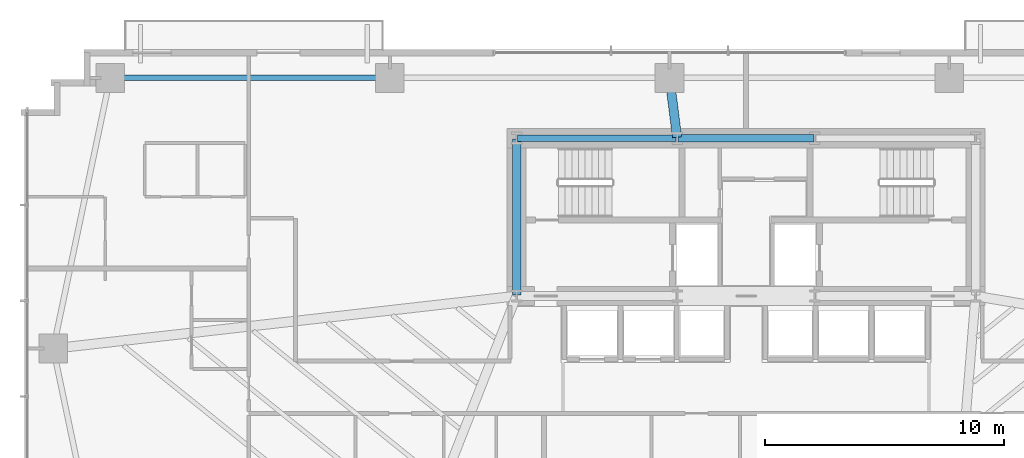
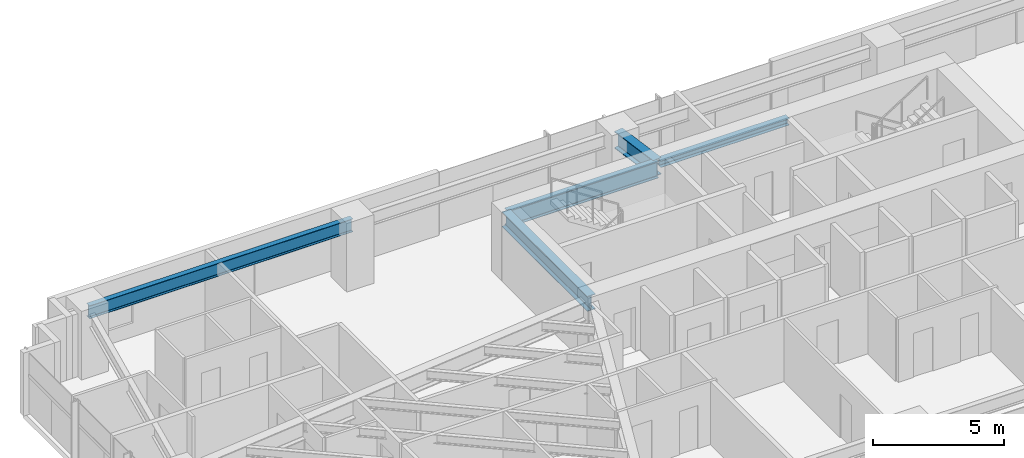
# One storey, part 9 of 25: 5 beams.
"""IFC4 building model written with IfcOpenShell, lengths in metres."""

from ifc_helpers import new_model, si_unit, direction, frame, origin, origin_2d, place, context, subcontext, project, spatial, i_section, extrude, source, transform, mapped, material, material_profile, profile_set, type_object, type_shapes, element, save


model = new_model("IFC4")

# Units and contexts
model_context = context("Model", 3, precision=1e-05, world=origin(), true_north=direction((0.0, 1.0)))
body_context = subcontext(model_context, "Body", "Model", "MODEL_VIEW")
ifc_project = project(units=[si_unit("LENGTHUNIT", "METRE"), si_unit("AREAUNIT", "SQUARE_METRE"), si_unit("VOLUMEUNIT", "CUBIC_METRE"), si_unit("PLANEANGLEUNIT", "RADIAN"), si_unit("MASSUNIT", "GRAM", prefix="KILO")], contexts=[model_context])

# Site, building, storey
site_placement = place(None, origin())
site = spatial("IfcSite", under=ifc_project, at=site_placement, CompositionType="ELEMENT")
building_placement = place(site_placement, origin())
building = spatial("IfcBuilding", under=site, at=building_placement, Name="Astriad Promenade Condominiums", CompositionType="ELEMENT")
storey_placement = place(building_placement, frame((0.0, 0.0, 61.39990234375)))
storey = spatial("IfcBuildingStorey", under=building, at=storey_placement, Name="L17", CompositionType="ELEMENT", Elevation=61.39990234375)

# Beams
ifc_material = material(Name="Steel ASTM A992 Grade 50", Category="steel")
ifc_material_profile_1 = material_profile(ifc_material, i_section(OverallWidth=0.267822265625, OverallDepth=0.76953125, WebThickness=0.015625, FlangeThickness=0.025390625, FilletRadius=0.021484375, at=origin_2d()), Name="W30X132")
ifc_profile_set_1 = profile_set([ifc_material_profile_1], Name="Steel ASTM A992 Grade 50")
beam_type_1 = type_object("IfcBeamType", Name="STEEL FLOOR GIRDER W30X132", PredefinedType="BEAM", material=ifc_profile_set_1)
shared_shape_1 = source(origin(), body_context, "Body", "SweptSolid", [
    extrude(i_section(OverallWidth=0.267822265625, OverallDepth=0.76953125, WebThickness=0.015625, FlangeThickness=0.025390625, FilletRadius=0.021484375, at=origin_2d()), origin(), (0.0, 0.0, 1.0), 6.64013671875),
])
type_shapes(beam_type_1, [shared_shape_1])
beam_1_placement = place(storey_placement, frame((26.43994140625, 24.0, 2.55517578125), z_axis=(1.0, 0.0, 0.0), x_axis=(0.0, 1.0, 0.0)))
element("IfcBeam", 1, at=beam_1_placement, inside=storey, type_object=beam_type_1, Name="Core Ring Beam CG-N1-L17", PredefinedType="BEAM", context=body_context, shape_type="MappedRepresentation", body=[
    mapped(shared_shape_1, transform((0.0, 0.0, 0.0), scale=1.0)),
])
ifc_material_profile_2 = material_profile(ifc_material, i_section(OverallWidth=0.3046875, OverallDepth=0.307861328125, WebThickness=0.010009765625, FlangeThickness=0.015380859375, FilletRadius=0.01513671875, at=origin_2d()), Name="W12X65")
ifc_profile_set_2 = profile_set([ifc_material_profile_2], Name="Steel ASTM A992 Grade 50")
beam_type_2 = type_object("IfcBeamType", Name="STEEL OPENING LINTEL W12X65", PredefinedType="LINTEL", material=ifc_profile_set_2)
shared_shape_2 = source(origin(), body_context, "Body", "SweptSolid", [
    extrude(i_section(OverallWidth=0.3046875, OverallDepth=0.307861328125, WebThickness=0.010009765625, FlangeThickness=0.015380859375, FilletRadius=0.01513671875, at=origin_2d()), origin(), (0.0, 0.0, 1.0), 5.68017578125),
])
type_shapes(beam_type_2, [shared_shape_2])
beam_2_placement = place(storey_placement, frame((33.159912109375, 24.0, 2.7861328125), z_axis=(1.0, 0.0, 0.0), x_axis=(0.0, 1.0, 0.0)))
element("IfcBeam", 2, at=beam_2_placement, inside=storey, type_object=beam_type_2, Name="Core Ring Beam CG-N2-L17", PredefinedType="LINTEL", context=body_context, shape_type="MappedRepresentation", body=[
    mapped(shared_shape_2, transform((0.0, 0.0, 0.0), scale=1.0)),
])
ifc_material_profile_3 = material_profile(ifc_material, i_section(OverallWidth=0.35791015625, OverallDepth=0.706298828125, WebThickness=0.018310546875, FlangeThickness=0.0302734375, FilletRadius=0.020263671875, at=origin_2d()), Name="W27X178")
ifc_profile_set_3 = profile_set([ifc_material_profile_3], Name="Steel ASTM A992 Grade 50")
beam_type_3 = type_object("IfcBeamType", Name="STEEL FLOOR GIRDER W27X178", PredefinedType="BEAM", material=ifc_profile_set_3)
shared_shape_3 = source(origin(), body_context, "Body", "SweptSolid", [
    extrude(i_section(OverallWidth=0.35791015625, OverallDepth=0.706298828125, WebThickness=0.018310546875, FlangeThickness=0.0302734375, FilletRadius=0.020263671875, at=origin_2d()), origin(), (0.0, 0.0, 1.0), 6.52001953125),
])
type_shapes(beam_type_3, [shared_shape_3])
beam_3_placement = place(storey_placement, frame((26.39990234375, 17.43994140625, 2.5869140625), z_axis=(0.0, 1.0, 0.0), x_axis=(-1.0, 0.0, 0.0)))
element("IfcBeam", 3, at=beam_3_placement, inside=storey, type_object=beam_type_3, Name="Core Ring Beam CG-W1-L17", PredefinedType="BEAM", context=body_context, shape_type="MappedRepresentation", body=[
    mapped(shared_shape_3, transform((0.0, 0.0, 0.0), scale=1.0)),
])
ifc_material_profile_4 = material_profile(ifc_material, i_section(OverallWidth=0.22900390625, OverallDepth=0.612060546875, WebThickness=0.011962890625, FlangeThickness=0.01953125, FilletRadius=0.017822265625, at=origin_2d()), Name="W24X84")
ifc_profile_set_4 = profile_set([ifc_material_profile_4], Name="Steel ASTM A992 Grade 50")
beam_type_4 = type_object("IfcBeamType", Name="STEEL SPANDREL BEAM W24X84", PredefinedType="SPANDREL", material=ifc_profile_set_4)
shared_shape_4 = source(origin(), body_context, "Body", "SweptSolid", [
    extrude(i_section(OverallWidth=0.22900390625, OverallDepth=0.612060546875, WebThickness=0.011962890625, FlangeThickness=0.01953125, FilletRadius=0.017822265625, at=origin_2d()), origin(), (0.0, 0.0, 1.0), 11.6201171875),
])
type_shapes(beam_type_4, [shared_shape_4])
beam_4_placement = place(storey_placement, frame((21.06005859375, 26.52001953125, 2.634033203125), z_axis=(-1.0, 0.0, 0.0), x_axis=(0.0, -1.0, 0.0)))
element("IfcBeam", 4, at=beam_4_placement, inside=storey, type_object=beam_type_4, Name="Perimeter Spandrel Beam SP-N1-L17", PredefinedType="SPANDREL", context=body_context, shape_type="MappedRepresentation", body=[
    mapped(shared_shape_4, transform((0.0, 0.0, 0.0), scale=1.0)),
])
ifc_material_profile_5 = material_profile(ifc_material, i_section(OverallWidth=0.3837890625, OverallDepth=0.785888671875, WebThickness=0.019775390625, FlangeThickness=0.033447265625, FilletRadius=0.021484375, at=origin_2d()), Name="W30X211")
ifc_profile_set_5 = profile_set([ifc_material_profile_5], Name="Steel ASTM A992 Grade 50")
beam_type_5 = type_object("IfcBeamType", Name="STEEL FLOOR GIRDER W30X211", PredefinedType="BEAM", material=ifc_profile_set_5)
shared_shape_5 = source(origin(), body_context, "Body", "SweptSolid", [
    extrude(i_section(OverallWidth=0.3837890625, OverallDepth=0.785888671875, WebThickness=0.019775390625, FlangeThickness=0.033447265625, FilletRadius=0.021484375, at=origin_2d()), origin(), (0.0, 0.0, 1.0), 2.4599609375),
])
type_shapes(beam_type_5, [shared_shape_5])
beam_5_placement = place(storey_placement, frame((32.804931640625, 26.480224609375, 2.547119140625), z_axis=(0.126037648346, -0.992025458947, 0.0), x_axis=(0.992025458947, 0.126037648346, 0.0)))
element("IfcBeam", 5, at=beam_5_placement, inside=storey, type_object=beam_type_5, Name="Primary Floor Girder PG-NC-L17", PredefinedType="BEAM", context=body_context, shape_type="MappedRepresentation", body=[
    mapped(shared_shape_5, transform((0.0, 0.0, 0.0), scale=1.0)),
])

save(model, "model.ifc")
